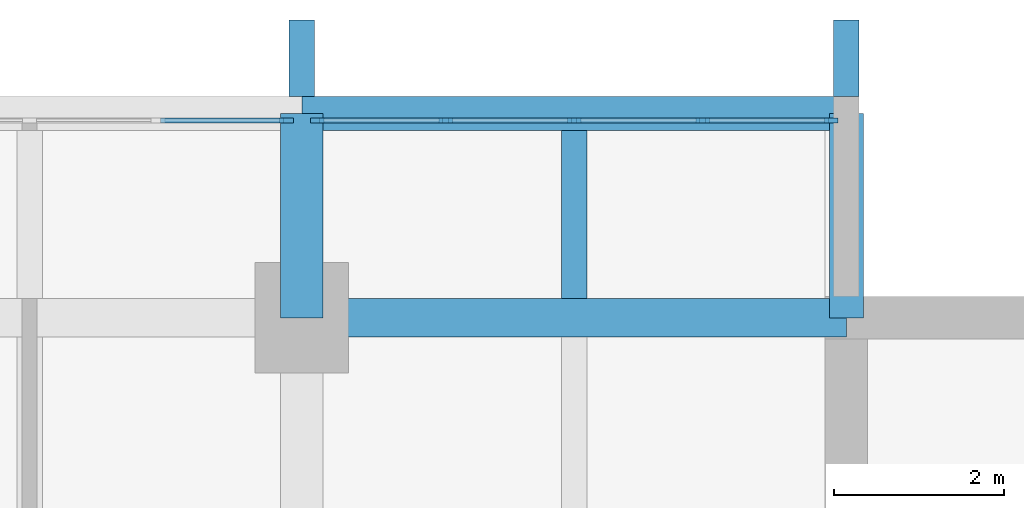
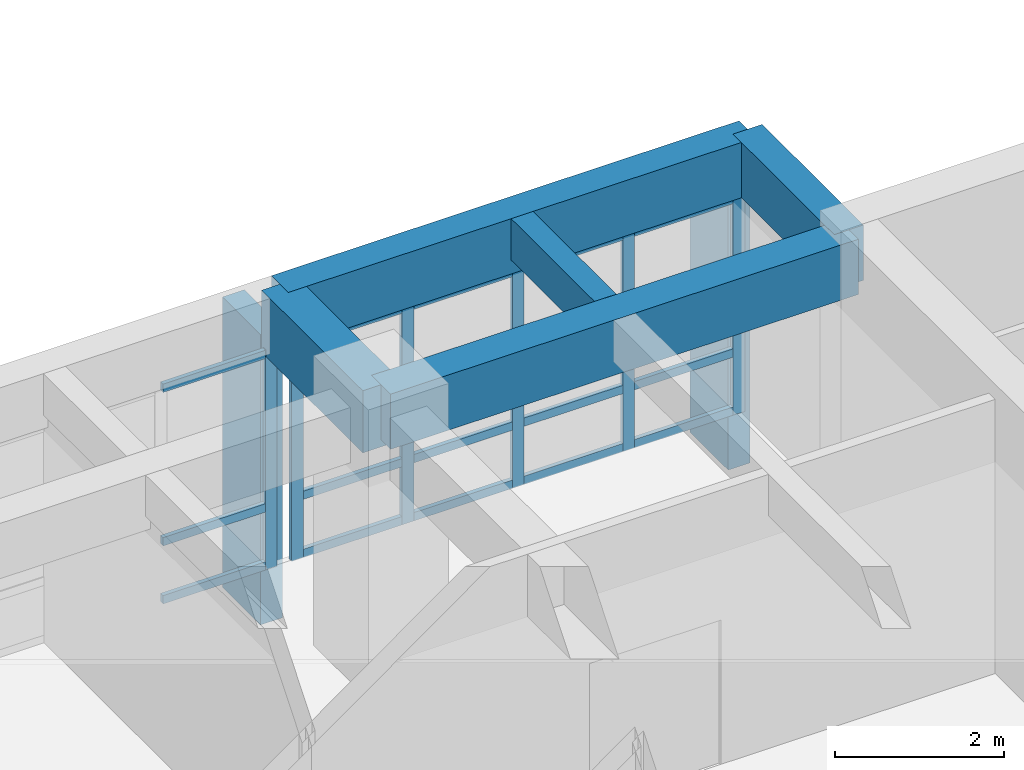
# One storey, part 6 of 18: 23 members, 5 beams, 2 elements without a shape of their own.
"""IFC4 building model written with IfcOpenShell, lengths in metres."""

from ifc_helpers import new_model, si_unit, direction, frame, origin, origin_2d, place, context, subcontext, project, spatial, rectangle, extrude, material, layer, layer_set, material_profile, profile_set, type_object, element, aggregate, save


model = new_model("IFC4")

# Units and contexts
model_context = context("Model", 3, precision=1e-05, world=origin(), true_north=direction((0.0, 1.0)))
body_context = subcontext(model_context, "Body", "Model", "MODEL_VIEW")
ifc_project = project(units=[si_unit("LENGTHUNIT", "METRE"), si_unit("AREAUNIT", "SQUARE_METRE"), si_unit("VOLUMEUNIT", "CUBIC_METRE"), si_unit("PLANEANGLEUNIT", "RADIAN"), si_unit("MASSUNIT", "GRAM", prefix="KILO")], contexts=[model_context])

# Site, building, storey
site_placement = place(None, origin())
site = spatial("IfcSite", under=ifc_project, at=site_placement, CompositionType="ELEMENT")
building_placement = place(site_placement, origin())
building = spatial("IfcBuilding", under=site, at=building_placement, Name="Fogon Plaza Fire Station and Headquarters Tower", CompositionType="ELEMENT")
storey_placement = place(building_placement, frame((0.0, 0.0, 12.89990234375)))
storey = spatial("IfcBuildingStorey", under=building, at=storey_placement, Name="L03", CompositionType="ELEMENT", Elevation=12.89990234375)

# Beams
ifc_material_1 = material(Name="Concrete C40", Category="concrete")
ifc_material_profile_1 = material_profile(ifc_material_1, rectangle(XDim=0.39990234375, YDim=0.800048828125, at=origin_2d()), Name="RC 400x800")
ifc_profile_set_1 = profile_set([ifc_material_profile_1], Name="Concrete C40")
beam_type_1 = type_object("IfcBeamType", Name="BEAM RC 400x800", PredefinedType="BEAM", material=ifc_profile_set_1)
beam_1_placement = place(storey_placement, frame((57.60009765625, 55.199951171875, 3.580078125), z_axis=(1.0, 0.0, 0.0), x_axis=(0.0, 1.0, 0.0)))
element("IfcBeam", 1, at=beam_1_placement, inside=storey, type_object=beam_type_1, Name="beam-L03-050", PredefinedType="BEAM", context=body_context, shape_type="SweptSolid", body=[
    extrude(rectangle(XDim=0.39990234375, YDim=0.800048828125, at=origin_2d()), origin(), (0.0, 0.0, 1.0), 6.39990234375),
])
ifc_material_2 = material(Name="Concrete C40", Category="concrete")
ifc_material_profile_2 = material_profile(ifc_material_2, rectangle(XDim=0.39990234375, YDim=0.800048828125, at=origin_2d()), Name="RC 400x800")
ifc_profile_set_2 = profile_set([ifc_material_profile_2], Name="Concrete C40")
beam_type_2 = type_object("IfcBeamType", Name="BEAM RC 400x800 SPAN 0.0 TO 3.0 M", PredefinedType="BEAM", material=ifc_profile_set_2)
beam_2_placement = place(storey_placement, frame((64.0, 52.800048828125, 3.580078125), z_axis=(0.0, 1.0, 0.0), x_axis=(-1.0, 0.0, 0.0)))
element("IfcBeam", 2, at=beam_2_placement, inside=storey, type_object=beam_type_2, Name="beam-L03-054", PredefinedType="BEAM", context=body_context, shape_type="SweptSolid", body=[
    extrude(rectangle(XDim=0.39990234375, YDim=0.800048828125, at=origin_2d()), origin(), (0.0, 0.0, 1.0), 2.39990234375),
])
ifc_material_3 = material(Name="Concrete C40", Category="concrete")
ifc_material_profile_3 = material_profile(ifc_material_3, rectangle(XDim=0.449951171875, YDim=0.800048828125, at=origin_2d()), Name="RC 450x800")
ifc_profile_set_3 = profile_set([ifc_material_profile_3], Name="Concrete C40")
beam_type_3 = type_object("IfcBeamType", Name="BEAM RC 450x800", PredefinedType="BEAM", material=ifc_profile_set_3)
beam_3_placement = place(storey_placement, frame((57.60009765625, 52.800048828125, 3.580078125), z_axis=(1.0, 0.0, 0.0), x_axis=(0.0, 1.0, 0.0)))
element("IfcBeam", 3, at=beam_3_placement, inside=storey, type_object=beam_type_3, Name="beam-L03-038", PredefinedType="BEAM", context=body_context, shape_type="SweptSolid", body=[
    extrude(rectangle(XDim=0.449951171875, YDim=0.800048828125, at=origin_2d()), origin(), (0.0, 0.0, 1.0), 6.39990234375),
])
ifc_material_4 = material(Name="Concrete C40", Category="concrete")
ifc_material_profile_4 = material_profile(ifc_material_4, rectangle(XDim=0.5, YDim=0.89990234375, at=origin_2d()), Name="RC 500x900")
ifc_profile_set_4 = profile_set([ifc_material_profile_4], Name="Concrete C40")
beam_type_4 = type_object("IfcBeamType", Name="BEAM RC 500x900 SPAN 0.0 TO 3.0 M", PredefinedType="BEAM", material=ifc_profile_set_4)
beam_4_placement = place(storey_placement, frame((57.60009765625, 52.800048828125, 3.530029296875), z_axis=(0.0, 1.0, 0.0), x_axis=(-1.0, 0.0, 0.0)))
element("IfcBeam", 4, at=beam_4_placement, inside=storey, type_object=beam_type_4, Name="beam-L03-020", PredefinedType="BEAM", context=body_context, shape_type="SweptSolid", body=[
    extrude(rectangle(XDim=0.5, YDim=0.89990234375, at=origin_2d()), origin(), (0.0, 0.0, 1.0), 2.39990234375),
])

# Curtain wall, member
ifc_material_5 = material(Name="Aluminium and glass", Category="aluminium")
ifc_layer = layer(ifc_material_5, 0.14990234375)
ifc_layer_set = layer_set([ifc_layer], Name="Aluminium and glass")
curtain_wall_type = type_object("IfcCurtainWallType", Name="Unitised Curtain Wall Run 6100x3180", PredefinedType="NOTDEFINED", material=ifc_layer_set)
curtain_wall_1_placement = place(storey_placement, origin())
curtain_wall_1 = element("IfcCurtainWall", 5, at=curtain_wall_1_placement, inside=storey, type_object=curtain_wall_type, Name="CW-6100x3180 N5 L03", PredefinedType="NOTDEFINED")
ifc_material_6 = material(Name="Aluminium", Category="aluminium")
ifc_material_profile_5 = material_profile(ifc_material_6, rectangle(XDim=0.06005859375, YDim=0.159912109375, at=origin_2d()), Name="Curtain Wall Mullion 60x160")
ifc_profile_set_5 = profile_set([ifc_material_profile_5], Name="Aluminium")
member_type_1 = type_object("IfcMemberType", Name="Curtain Wall Mullion 60x160", PredefinedType="MULLION", material=ifc_profile_set_5)
member_1_placement = place(storey_placement, frame((57.419921875, 55.1201171875, 0.0), z_axis=(0.0, 0.0, 1.0), x_axis=(0.0, 1.0, 0.0)))
member_1 = element("IfcMember", 6, at=member_1_placement, type_object=member_type_1, Name="CW-6100x3180 mullion 5", PredefinedType="MULLION", context=body_context, shape_type="SweptSolid", body=[
    extrude(rectangle(XDim=0.06005859375, YDim=0.159912109375, at=origin_2d()), origin(), (0.0, 0.0, 1.0), 3.18017578125),
])

# Curtain wall, members
curtain_wall_2_placement = place(storey_placement, origin())
curtain_wall_2 = element("IfcCurtainWall", 7, at=curtain_wall_2_placement, inside=storey, type_object=curtain_wall_type, Name="CW-6100x3180 N6 L03", PredefinedType="NOTDEFINED")
member_2_placement = place(storey_placement, frame((57.780029296875, 55.1201171875, 0.0), z_axis=(0.0, 0.0, 1.0), x_axis=(0.0, 1.0, 0.0)))
member_2 = element("IfcMember", 8, at=member_2_placement, type_object=member_type_1, Name="CW-6100x3180 mullion 1", PredefinedType="MULLION", context=body_context, shape_type="SweptSolid", body=[
    extrude(rectangle(XDim=0.06005859375, YDim=0.159912109375, at=origin_2d()), origin(), (0.0, 0.0, 1.0), 3.18017578125),
])
member_3_placement = place(storey_placement, frame((59.2900390625, 55.1201171875, 0.0), z_axis=(0.0, 0.0, 1.0), x_axis=(0.0, 1.0, 0.0)))
member_3 = element("IfcMember", 9, at=member_3_placement, type_object=member_type_1, Name="CW-6100x3180 mullion 2", PredefinedType="MULLION", context=body_context, shape_type="SweptSolid", body=[
    extrude(rectangle(XDim=0.06005859375, YDim=0.159912109375, at=origin_2d()), origin(), (0.0, 0.0, 1.0), 3.18017578125),
])
member_4_placement = place(storey_placement, frame((60.800048828125, 55.1201171875, 0.0), z_axis=(0.0, 0.0, 1.0), x_axis=(0.0, 1.0, 0.0)))
member_4 = element("IfcMember", 10, at=member_4_placement, type_object=member_type_1, Name="CW-6100x3180 mullion 3", PredefinedType="MULLION", context=body_context, shape_type="SweptSolid", body=[
    extrude(rectangle(XDim=0.06005859375, YDim=0.159912109375, at=origin_2d()), origin(), (0.0, 0.0, 1.0), 3.18017578125),
])
member_5_placement = place(storey_placement, frame((62.31005859375, 55.1201171875, 0.0), z_axis=(0.0, 0.0, 1.0), x_axis=(0.0, 1.0, 0.0)))
member_5 = element("IfcMember", 11, at=member_5_placement, type_object=member_type_1, Name="CW-6100x3180 mullion 4", PredefinedType="MULLION", context=body_context, shape_type="SweptSolid", body=[
    extrude(rectangle(XDim=0.06005859375, YDim=0.159912109375, at=origin_2d()), origin(), (0.0, 0.0, 1.0), 3.18017578125),
])
member_6_placement = place(storey_placement, frame((63.820068359375, 55.1201171875, 0.0), z_axis=(0.0, 0.0, 1.0), x_axis=(0.0, 1.0, 0.0)))
member_6 = element("IfcMember", 12, at=member_6_placement, type_object=member_type_1, Name="CW-6100x3180 mullion 5", PredefinedType="MULLION", context=body_context, shape_type="SweptSolid", body=[
    extrude(rectangle(XDim=0.06005859375, YDim=0.159912109375, at=origin_2d()), origin(), (0.0, 0.0, 1.0), 3.18017578125),
])

# Member
ifc_material_7 = material(Name="Aluminium", Category="aluminium")
ifc_material_profile_6 = material_profile(ifc_material_7, rectangle(XDim=0.06005859375, YDim=0.1201171875, at=origin_2d()), Name="Curtain Wall Transom 60x120")
ifc_profile_set_6 = profile_set([ifc_material_profile_6], Name="Aluminium")
member_type_2 = type_object("IfcMemberType", Name="Curtain Wall Transom 60x120", PredefinedType="USERDEFINED", material=ifc_profile_set_6)
member_7_placement = place(storey_placement, frame((55.93994140625, 55.1201171875, 0.06005859375), z_axis=(1.0, 0.0, 0.0), x_axis=(0.0, 1.0, 0.0)))
member_7 = element("IfcMember", 13, at=member_7_placement, type_object=member_type_2, Name="CW-6100x3180 transom 4.1", ObjectType="TRANSOM", PredefinedType="USERDEFINED", context=body_context, shape_type="SweptSolid", body=[
    extrude(rectangle(XDim=0.06005859375, YDim=0.1201171875, at=origin_2d()), origin(), (0.0, 0.0, 1.0), 1.449951171875),
])

member_8_placement = place(storey_placement, frame((55.93994140625, 55.1201171875, 0.900146484375), z_axis=(1.0, 0.0, 0.0), x_axis=(0.0, 1.0, 0.0)))
member_8 = element("IfcMember", 14, at=member_8_placement, type_object=member_type_2, Name="CW-6100x3180 transom 4.2", ObjectType="TRANSOM", PredefinedType="USERDEFINED", context=body_context, shape_type="SweptSolid", body=[
    extrude(rectangle(XDim=0.06005859375, YDim=0.1201171875, at=origin_2d()), origin(), (0.0, 0.0, 1.0), 1.449951171875),
])

member_9_placement = place(storey_placement, frame((55.93994140625, 55.1201171875, 3.1201171875), z_axis=(1.0, 0.0, 0.0), x_axis=(0.0, 1.0, 0.0)))
member_9 = element("IfcMember", 15, at=member_9_placement, type_object=member_type_2, Name="CW-6100x3180 transom 4.3", ObjectType="TRANSOM", PredefinedType="USERDEFINED", context=body_context, shape_type="SweptSolid", body=[
    extrude(rectangle(XDim=0.06005859375, YDim=0.1201171875, at=origin_2d()), origin(), (0.0, 0.0, 1.0), 1.449951171875),
])

aggregate(curtain_wall_1, [member_1, member_7, member_8, member_9])

member_10_placement = place(storey_placement, frame((57.81005859375, 55.1201171875, 0.06005859375), z_axis=(1.0, 0.0, 0.0), x_axis=(0.0, 1.0, 0.0)))
member_10 = element("IfcMember", 16, at=member_10_placement, type_object=member_type_2, Name="CW-6100x3180 transom 1.1", ObjectType="TRANSOM", PredefinedType="USERDEFINED", context=body_context, shape_type="SweptSolid", body=[
    extrude(rectangle(XDim=0.06005859375, YDim=0.1201171875, at=origin_2d()), origin(), (0.0, 0.0, 1.0), 1.449951171875),
])

member_11_placement = place(storey_placement, frame((57.81005859375, 55.1201171875, 0.900146484375), z_axis=(1.0, 0.0, 0.0), x_axis=(0.0, 1.0, 0.0)))
member_11 = element("IfcMember", 17, at=member_11_placement, type_object=member_type_2, Name="CW-6100x3180 transom 1.2", ObjectType="TRANSOM", PredefinedType="USERDEFINED", context=body_context, shape_type="SweptSolid", body=[
    extrude(rectangle(XDim=0.06005859375, YDim=0.1201171875, at=origin_2d()), origin(), (0.0, 0.0, 1.0), 1.449951171875),
])

member_12_placement = place(storey_placement, frame((57.81005859375, 55.1201171875, 3.1201171875), z_axis=(1.0, 0.0, 0.0), x_axis=(0.0, 1.0, 0.0)))
member_12 = element("IfcMember", 18, at=member_12_placement, type_object=member_type_2, Name="CW-6100x3180 transom 1.3", ObjectType="TRANSOM", PredefinedType="USERDEFINED", context=body_context, shape_type="SweptSolid", body=[
    extrude(rectangle(XDim=0.06005859375, YDim=0.1201171875, at=origin_2d()), origin(), (0.0, 0.0, 1.0), 1.449951171875),
])

member_13_placement = place(storey_placement, frame((59.320068359375, 55.1201171875, 0.06005859375), z_axis=(1.0, 0.0, 0.0), x_axis=(0.0, 1.0, 0.0)))
member_13 = element("IfcMember", 19, at=member_13_placement, type_object=member_type_2, Name="CW-6100x3180 transom 2.1", ObjectType="TRANSOM", PredefinedType="USERDEFINED", context=body_context, shape_type="SweptSolid", body=[
    extrude(rectangle(XDim=0.06005859375, YDim=0.1201171875, at=origin_2d()), origin(), (0.0, 0.0, 1.0), 1.449951171875),
])

member_14_placement = place(storey_placement, frame((59.320068359375, 55.1201171875, 0.900146484375), z_axis=(1.0, 0.0, 0.0), x_axis=(0.0, 1.0, 0.0)))
member_14 = element("IfcMember", 20, at=member_14_placement, type_object=member_type_2, Name="CW-6100x3180 transom 2.2", ObjectType="TRANSOM", PredefinedType="USERDEFINED", context=body_context, shape_type="SweptSolid", body=[
    extrude(rectangle(XDim=0.06005859375, YDim=0.1201171875, at=origin_2d()), origin(), (0.0, 0.0, 1.0), 1.449951171875),
])

member_15_placement = place(storey_placement, frame((59.320068359375, 55.1201171875, 3.1201171875), z_axis=(1.0, 0.0, 0.0), x_axis=(0.0, 1.0, 0.0)))
member_15 = element("IfcMember", 21, at=member_15_placement, type_object=member_type_2, Name="CW-6100x3180 transom 2.3", ObjectType="TRANSOM", PredefinedType="USERDEFINED", context=body_context, shape_type="SweptSolid", body=[
    extrude(rectangle(XDim=0.06005859375, YDim=0.1201171875, at=origin_2d()), origin(), (0.0, 0.0, 1.0), 1.449951171875),
])

member_16_placement = place(storey_placement, frame((60.830078125, 55.1201171875, 0.06005859375), z_axis=(1.0, 0.0, 0.0), x_axis=(0.0, 1.0, 0.0)))
member_16 = element("IfcMember", 22, at=member_16_placement, type_object=member_type_2, Name="CW-6100x3180 transom 3.1", ObjectType="TRANSOM", PredefinedType="USERDEFINED", context=body_context, shape_type="SweptSolid", body=[
    extrude(rectangle(XDim=0.06005859375, YDim=0.1201171875, at=origin_2d()), origin(), (0.0, 0.0, 1.0), 1.449951171875),
])

member_17_placement = place(storey_placement, frame((60.830078125, 55.1201171875, 0.900146484375), z_axis=(1.0, 0.0, 0.0), x_axis=(0.0, 1.0, 0.0)))
member_17 = element("IfcMember", 23, at=member_17_placement, type_object=member_type_2, Name="CW-6100x3180 transom 3.2", ObjectType="TRANSOM", PredefinedType="USERDEFINED", context=body_context, shape_type="SweptSolid", body=[
    extrude(rectangle(XDim=0.06005859375, YDim=0.1201171875, at=origin_2d()), origin(), (0.0, 0.0, 1.0), 1.449951171875),
])

member_18_placement = place(storey_placement, frame((60.830078125, 55.1201171875, 3.1201171875), z_axis=(1.0, 0.0, 0.0), x_axis=(0.0, 1.0, 0.0)))
member_18 = element("IfcMember", 24, at=member_18_placement, type_object=member_type_2, Name="CW-6100x3180 transom 3.3", ObjectType="TRANSOM", PredefinedType="USERDEFINED", context=body_context, shape_type="SweptSolid", body=[
    extrude(rectangle(XDim=0.06005859375, YDim=0.1201171875, at=origin_2d()), origin(), (0.0, 0.0, 1.0), 1.449951171875),
])

member_19_placement = place(storey_placement, frame((62.340087890625, 55.1201171875, 0.06005859375), z_axis=(1.0, 0.0, 0.0), x_axis=(0.0, 1.0, 0.0)))
member_19 = element("IfcMember", 25, at=member_19_placement, type_object=member_type_2, Name="CW-6100x3180 transom 4.1", ObjectType="TRANSOM", PredefinedType="USERDEFINED", context=body_context, shape_type="SweptSolid", body=[
    extrude(rectangle(XDim=0.06005859375, YDim=0.1201171875, at=origin_2d()), origin(), (0.0, 0.0, 1.0), 1.449951171875),
])

member_20_placement = place(storey_placement, frame((62.340087890625, 55.1201171875, 0.900146484375), z_axis=(1.0, 0.0, 0.0), x_axis=(0.0, 1.0, 0.0)))
member_20 = element("IfcMember", 26, at=member_20_placement, type_object=member_type_2, Name="CW-6100x3180 transom 4.2", ObjectType="TRANSOM", PredefinedType="USERDEFINED", context=body_context, shape_type="SweptSolid", body=[
    extrude(rectangle(XDim=0.06005859375, YDim=0.1201171875, at=origin_2d()), origin(), (0.0, 0.0, 1.0), 1.449951171875),
])

member_21_placement = place(storey_placement, frame((62.340087890625, 55.1201171875, 3.1201171875), z_axis=(1.0, 0.0, 0.0), x_axis=(0.0, 1.0, 0.0)))
member_21 = element("IfcMember", 27, at=member_21_placement, type_object=member_type_2, Name="CW-6100x3180 transom 4.3", ObjectType="TRANSOM", PredefinedType="USERDEFINED", context=body_context, shape_type="SweptSolid", body=[
    extrude(rectangle(XDim=0.06005859375, YDim=0.1201171875, at=origin_2d()), origin(), (0.0, 0.0, 1.0), 1.449951171875),
])

aggregate(curtain_wall_2, [member_2, member_3, member_4, member_5, member_6, member_10, member_11, member_12, member_13, member_14, member_15, member_16, member_17, member_18, member_19, member_20, member_21])

# Beam
ifc_material_8 = material(Name="Concrete C40", Category="concrete")
ifc_material_profile_7 = material_profile(ifc_material_8, rectangle(XDim=0.300048828125, YDim=0.60009765625, at=origin_2d()), Name="RC 300x600")
ifc_profile_set_7 = profile_set([ifc_material_profile_7], Name="Concrete C40")
beam_type_5 = type_object("IfcBeamType", Name="JOIST RC 300x600 SPAN 0.0 TO 3.0 M", PredefinedType="JOIST", material=ifc_profile_set_7)
beam_5_placement = place(storey_placement, frame((60.800048828125, 53.02490234375, 3.68017578125), z_axis=(0.0, 1.0, 0.0), x_axis=(-1.0, 0.0, 0.0)))
element("IfcBeam", 28, at=beam_5_placement, inside=storey, type_object=beam_type_5, Name="beam-L03-078", PredefinedType="JOIST", context=body_context, shape_type="SweptSolid", body=[
    extrude(rectangle(XDim=0.300048828125, YDim=0.60009765625, at=origin_2d()), origin(), (0.0, 0.0, 1.0), 1.97509765625),
])

# Members
ifc_material_9 = material(Name="Concrete C40 precast", Category="concrete")
ifc_material_profile_8 = material_profile(ifc_material_9, rectangle(XDim=0.300048828125, YDim=0.89990234375, at=origin_2d()), Name="Precast Concrete Post 300x900")
ifc_profile_set_8 = profile_set([ifc_material_profile_8], Name="Concrete C40 precast")
member_type_3 = type_object("IfcMemberType", Name="Precast Concrete Post 300x900", PredefinedType="POST", material=ifc_profile_set_8)
for number, where, z_axis, x_axis, name in (
    (29, (57.60009765625, 55.85009765625, -1.02001953125), (0.0, 0.0, 1.0), (1.0, 0.0, 0.0), "Precast Post N L03"),
    (30, (64.0, 55.85009765625, -1.02001953125), (0.0, 0.0, 1.0), (1.0, 0.0, 0.0), "Precast Post N L03"),
):
    element("IfcMember", number, at=place(storey_placement, frame(where, z_axis=z_axis, x_axis=x_axis)), inside=storey, type_object=member_type_3, Name=name, PredefinedType="POST", context=body_context, shape_type="SweptSolid", body=[
        extrude(rectangle(XDim=0.300048828125, YDim=0.89990234375, at=origin_2d()), origin(), (0.0, 0.0, 1.0), 4.2001953125),
    ])

save(model, "model.ifc")
